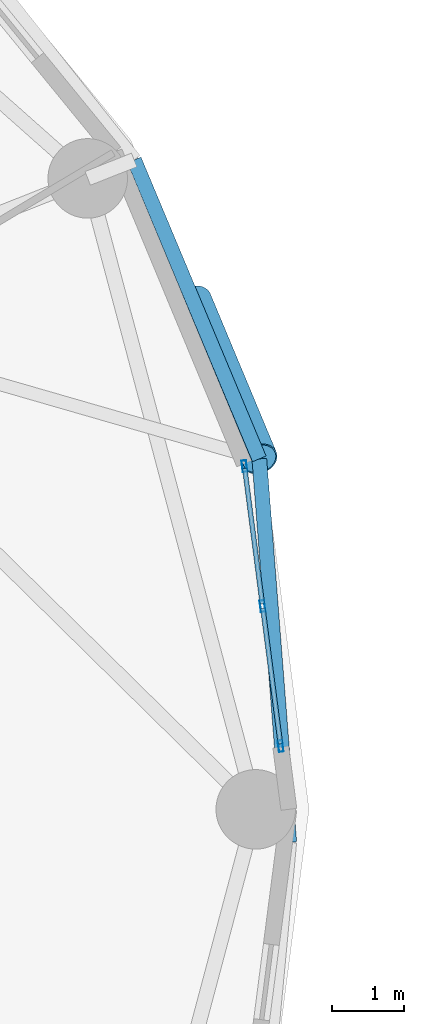
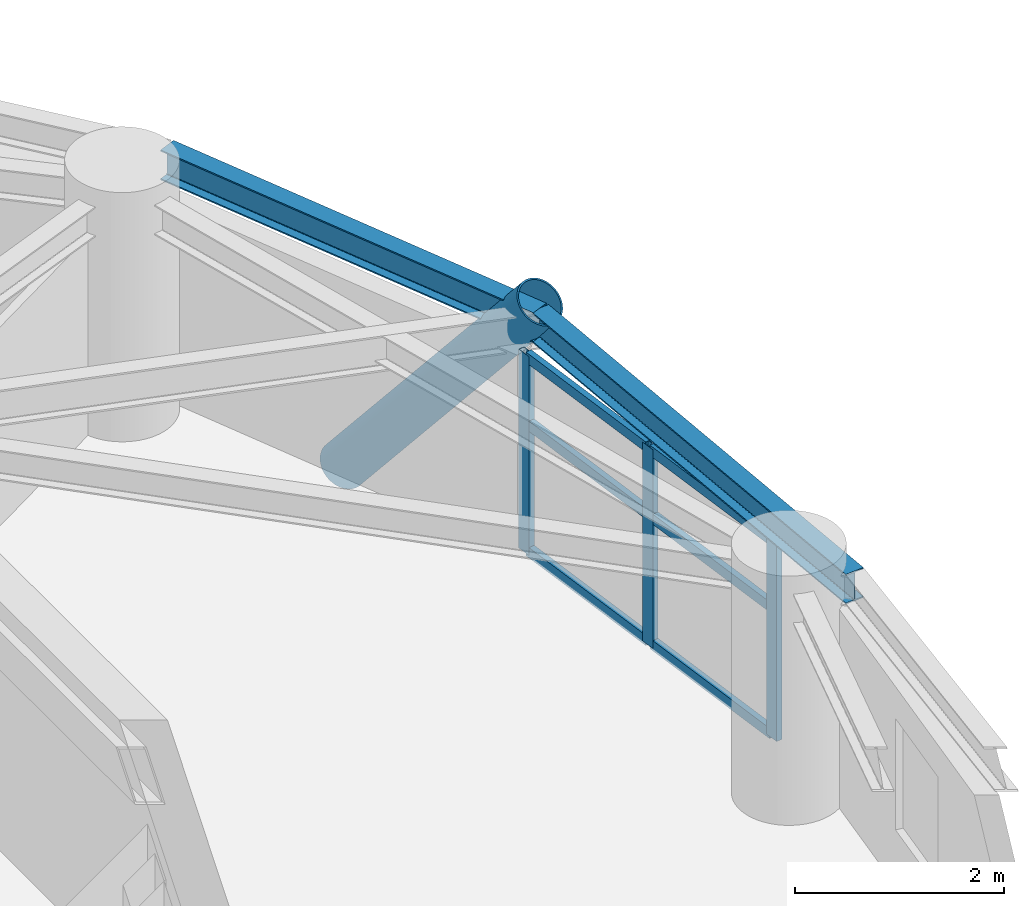
# One storey, part 3 of 15: 10 members, 2 beams, 1 element without a shape of its own.
"""IFC4 building model written with IfcOpenShell, lengths in metres."""

from ifc_helpers import new_model, si_unit, direction, frame, origin, origin_2d, place, context, subcontext, project, spatial, hollow_rectangle, hollow_circle, i_section, extrude, material, layer, layer_set, material_profile, profile_set, type_object, element, aggregate, save


model = new_model("IFC4")

# Units and contexts
model_context = context("Model", 3, precision=1e-05, world=origin(), true_north=direction((0.0, 1.0)))
body_context = subcontext(model_context, "Body", "Model", "MODEL_VIEW")
ifc_project = project(units=[si_unit("LENGTHUNIT", "METRE"), si_unit("AREAUNIT", "SQUARE_METRE"), si_unit("VOLUMEUNIT", "CUBIC_METRE"), si_unit("PLANEANGLEUNIT", "RADIAN"), si_unit("MASSUNIT", "GRAM", prefix="KILO")], contexts=[model_context])

# Site, building, storey
site_placement = place(None, origin())
site = spatial("IfcSite", under=ifc_project, at=site_placement, CompositionType="ELEMENT")
building_placement = place(site_placement, origin())
building = spatial("IfcBuilding", under=site, at=building_placement, Name="Cununo Teusaquillo Station Towers", CompositionType="ELEMENT")
storey_placement = place(building_placement, frame((0.0, 0.0, 199.570068359375)))
storey = spatial("IfcBuildingStorey", under=building, at=storey_placement, Name="L63", CompositionType="ELEMENT", Elevation=199.570068359375)

# Beams
ifc_material_1 = material(Name="Steel ASTM A572 Grade 50", Category="steel")
ifc_material_profile_1 = material_profile(ifc_material_1, i_section(OverallWidth=0.2041015625, OverallDepth=0.35009765625, WebThickness=0.008544921875, FlangeThickness=0.01513671875, FilletRadius=0.011962890625, at=origin_2d()), Name="W14X48")
ifc_profile_set_1 = profile_set([ifc_material_profile_1], Name="Steel ASTM A572 Grade 50")
beam_type = type_object("IfcBeamType", Name="BM-RING-Z4", PredefinedType="SPANDREL", material=ifc_profile_set_1)
beam_1_placement = place(storey_placement, frame((29.135498046875, 24.044189453125, 2.52490234375), z_axis=(-0.077871988965, 0.996963366095, 0.0), x_axis=(-0.996963366095, -0.077871988965, 0.0)))
element("IfcBeam", 1, at=beam_1_placement, inside=storey, type_object=beam_type, Name="L63 Tower A Spandrel Ring Beam 01", PredefinedType="SPANDREL", context=body_context, shape_type="SweptSolid", body=[
    extrude(i_section(OverallWidth=0.2041015625, OverallDepth=0.35009765625, WebThickness=0.008544921875, FlangeThickness=0.01513671875, FilletRadius=0.011962890625, at=origin_2d()), origin(), (0.0, 0.0, 1.0), 5.3203125),
])
beam_2_placement = place(storey_placement, frame((28.72119140625, 29.348388671875, 2.52490234375), z_axis=(-0.386115454066, 0.922450462698, 0.0), x_axis=(-0.922450462698, -0.386115454066, 0.0)))
element("IfcBeam", 2, at=beam_2_placement, inside=storey, type_object=beam_type, Name="L63 Tower A Spandrel Ring Beam 02", PredefinedType="SPANDREL", context=body_context, shape_type="SweptSolid", body=[
    extrude(i_section(OverallWidth=0.2041015625, OverallDepth=0.35009765625, WebThickness=0.008544921875, FlangeThickness=0.01513671875, FilletRadius=0.011962890625, at=origin_2d()), origin(), (0.0, 0.0, 1.0), 4.482421875),
])

# Curtain wall, members
ifc_material_2 = material(Name="Ceramic-fritted dark low-E double glazing", Category="glass")
ifc_layer = layer(ifc_material_2, 0.179931640625)
ifc_layer_set = layer_set([ifc_layer], Name="Ceramic-fritted dark low-E double glazing")
curtain_wall_type = type_object("IfcCurtainWallType", Name="CW-SYS-07", PredefinedType="USERDEFINED", material=ifc_layer_set)
curtain_wall_placement = place(storey_placement, origin())
curtain_wall = element("IfcCurtainWall", 3, at=curtain_wall_placement, inside=storey, type_object=curtain_wall_type, Name="L63 Tower A Facade Curtain Wall C00", ObjectType="FRITTED GLAZING", PredefinedType="USERDEFINED")
ifc_material_3 = material(Name="Anodised dark bronze aluminium EN AW-6063-T6", Category="aluminium")
ifc_material_profile_2 = material_profile(ifc_material_3, hollow_rectangle(XDim=0.06494140625, YDim=0.159912109375, WallThickness=0.00390625, at=origin_2d()), Name="CW-MULL-65x160")
ifc_profile_set_2 = profile_set([ifc_material_profile_2], Name="Anodised dark bronze aluminium EN AW-6063-T6")
member_type_1 = type_object("IfcMemberType", Name="CWM-160", PredefinedType="MULLION", material=ifc_profile_set_2)
member_1_placement = place(storey_placement, frame((28.515869140625, 29.248291015625, 0.0), z_axis=(0.0, 0.0, 1.0), x_axis=(0.991741528461, 0.12825264413, 0.0)))
member_1 = element("IfcMember", 4, at=member_1_placement, type_object=member_type_1, Name="CW-07 mullion 1", PredefinedType="MULLION", context=body_context, shape_type="SweptSolid", body=[
    extrude(hollow_rectangle(XDim=0.06494140625, YDim=0.159912109375, WallThickness=0.00390625, at=origin_2d()), origin(), (0.0, 0.0, 1.0), 2.322021484375),
])
member_2_placement = place(storey_placement, frame((28.766357421875, 27.311767578125, 0.0), z_axis=(0.0, 0.0, 1.0), x_axis=(0.991741528461, 0.12825264413, 0.0)))
member_2 = element("IfcMember", 5, at=member_2_placement, type_object=member_type_1, Name="CW-07 mullion 2", PredefinedType="MULLION", context=body_context, shape_type="SweptSolid", body=[
    extrude(hollow_rectangle(XDim=0.06494140625, YDim=0.159912109375, WallThickness=0.00390625, at=origin_2d()), origin(), (0.0, 0.0, 1.0), 2.322021484375),
])
member_3_placement = place(storey_placement, frame((29.016845703125, 25.375244140625, 0.0), z_axis=(0.0, 0.0, 1.0), x_axis=(0.991741528461, 0.12825264413, 0.0)))
member_3 = element("IfcMember", 6, at=member_3_placement, type_object=member_type_1, Name="CW-07 mullion 3", PredefinedType="MULLION", context=body_context, shape_type="SweptSolid", body=[
    extrude(hollow_rectangle(XDim=0.06494140625, YDim=0.159912109375, WallThickness=0.00390625, at=origin_2d()), origin(), (0.0, 0.0, 1.0), 2.322021484375),
])
ifc_material_4 = material(Name="Anodised dark bronze aluminium EN AW-6063-T6", Category="aluminium")
ifc_material_profile_3 = material_profile(ifc_material_4, hollow_rectangle(XDim=0.06494140625, YDim=0.1201171875, WallThickness=0.00390625, at=origin_2d()), Name="CW-TRAN-65x120")
ifc_profile_set_3 = profile_set([ifc_material_profile_3], Name="Anodised dark bronze aluminium EN AW-6063-T6")
member_type_2 = type_object("IfcMemberType", Name="CWT-120", PredefinedType="USERDEFINED", material=ifc_profile_set_3)
member_4_placement = place(storey_placement, frame((28.52001953125, 29.216064453125, 0.032470703125), z_axis=(0.128299630595, -0.99173545101, 0.0), x_axis=(0.99173545101, 0.128299630595, 0.0)))
member_4 = element("IfcMember", 7, at=member_4_placement, type_object=member_type_2, Name="CW-07 transom 1.1", ObjectType="TRANSOM", PredefinedType="USERDEFINED", context=body_context, shape_type="SweptSolid", body=[
    extrude(hollow_rectangle(XDim=0.06494140625, YDim=0.1201171875, WallThickness=0.00390625, at=origin_2d()), origin(), (0.0, 0.0, 1.0), 1.8876953125),
])
member_5_placement = place(storey_placement, frame((28.52001953125, 29.216064453125, 1.509033203125), z_axis=(0.128299630595, -0.99173545101, 0.0), x_axis=(0.99173545101, 0.128299630595, 0.0)))
member_5 = element("IfcMember", 8, at=member_5_placement, type_object=member_type_2, Name="CW-07 transom 1.2", ObjectType="TRANSOM", PredefinedType="USERDEFINED", context=body_context, shape_type="SweptSolid", body=[
    extrude(hollow_rectangle(XDim=0.06494140625, YDim=0.1201171875, WallThickness=0.00390625, at=origin_2d()), origin(), (0.0, 0.0, 1.0), 1.8876953125),
])
member_6_placement = place(storey_placement, frame((28.52001953125, 29.216064453125, 2.28955078125), z_axis=(0.128299630595, -0.99173545101, 0.0), x_axis=(0.99173545101, 0.128299630595, 0.0)))
member_6 = element("IfcMember", 9, at=member_6_placement, type_object=member_type_2, Name="CW-07 transom 1.3", ObjectType="TRANSOM", PredefinedType="USERDEFINED", context=body_context, shape_type="SweptSolid", body=[
    extrude(hollow_rectangle(XDim=0.06494140625, YDim=0.1201171875, WallThickness=0.00390625, at=origin_2d()), origin(), (0.0, 0.0, 1.0), 1.8876953125),
])
member_7_placement = place(storey_placement, frame((28.7705078125, 27.279541015625, 0.032470703125), z_axis=(0.128299630595, -0.99173545101, 0.0), x_axis=(0.99173545101, 0.128299630595, 0.0)))
member_7 = element("IfcMember", 10, at=member_7_placement, type_object=member_type_2, Name="CW-07 transom 2.1", ObjectType="TRANSOM", PredefinedType="USERDEFINED", context=body_context, shape_type="SweptSolid", body=[
    extrude(hollow_rectangle(XDim=0.06494140625, YDim=0.1201171875, WallThickness=0.00390625, at=origin_2d()), origin(), (0.0, 0.0, 1.0), 1.8876953125),
])
member_8_placement = place(storey_placement, frame((28.7705078125, 27.279541015625, 1.509033203125), z_axis=(0.128299630595, -0.99173545101, 0.0), x_axis=(0.99173545101, 0.128299630595, 0.0)))
member_8 = element("IfcMember", 11, at=member_8_placement, type_object=member_type_2, Name="CW-07 transom 2.2", ObjectType="TRANSOM", PredefinedType="USERDEFINED", context=body_context, shape_type="SweptSolid", body=[
    extrude(hollow_rectangle(XDim=0.06494140625, YDim=0.1201171875, WallThickness=0.00390625, at=origin_2d()), origin(), (0.0, 0.0, 1.0), 1.8876953125),
])
member_9_placement = place(storey_placement, frame((28.7705078125, 27.279541015625, 2.28955078125), z_axis=(0.128299630595, -0.99173545101, 0.0), x_axis=(0.99173545101, 0.128299630595, 0.0)))
member_9 = element("IfcMember", 12, at=member_9_placement, type_object=member_type_2, Name="CW-07 transom 2.3", ObjectType="TRANSOM", PredefinedType="USERDEFINED", context=body_context, shape_type="SweptSolid", body=[
    extrude(hollow_rectangle(XDim=0.06494140625, YDim=0.1201171875, WallThickness=0.00390625, at=origin_2d()), origin(), (0.0, 0.0, 1.0), 1.8876953125),
])
aggregate(curtain_wall, [member_1, member_2, member_3, member_4, member_5, member_6, member_7, member_8, member_9])

# Member
ifc_material_5 = material(Name="Steel EN 10025-2 S355J2", Category="steel")
ifc_material_profile_4 = material_profile(ifc_material_5, hollow_circle(Radius=0.25390625, WallThickness=0.01806640625, at=origin_2d()), Name="CHS 508x18")
ifc_profile_set_4 = profile_set([ifc_material_profile_4], Name="Steel EN 10025-2 S355J2")
member_type_3 = type_object("IfcMemberType", Name="MBR-DIAG-Z4", PredefinedType="BRACE", material=ifc_profile_set_4)
member_10_placement = place(storey_placement, frame((27.80859375, 31.535400390625, -0.14013671875), z_axis=(0.243166093577, -0.582739932119, 0.775425317131), x_axis=(0.922875628603, 0.385098135713, 0.0)))
element("IfcMember", 13, at=member_10_placement, inside=storey, type_object=member_type_3, Name="L63 Tower A Folded-Zigzag Diagrid Tube C01", PredefinedType="BRACE", context=body_context, shape_type="SweptSolid", body=[
    extrude(hollow_circle(Radius=0.25390625, WallThickness=0.01806640625, at=origin_2d()), origin(), (0.0, 0.0, 1.0), 3.7529296875),
])

save(model, "model.ifc")
